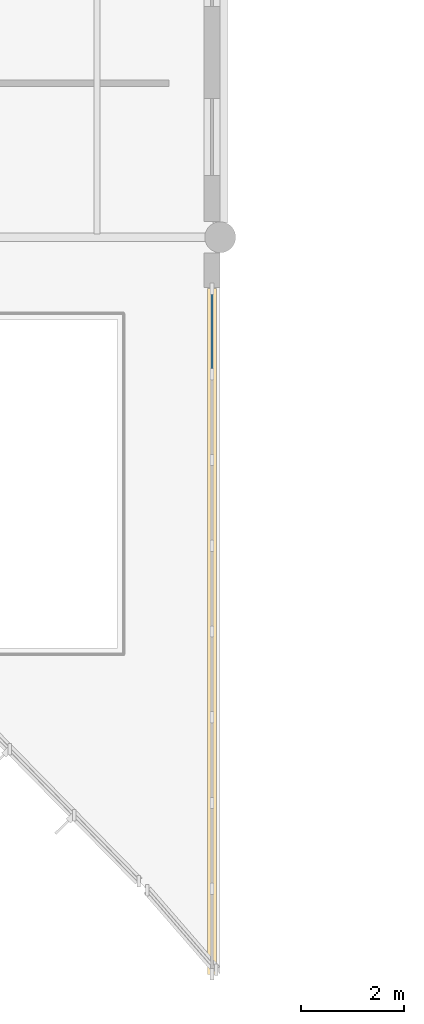
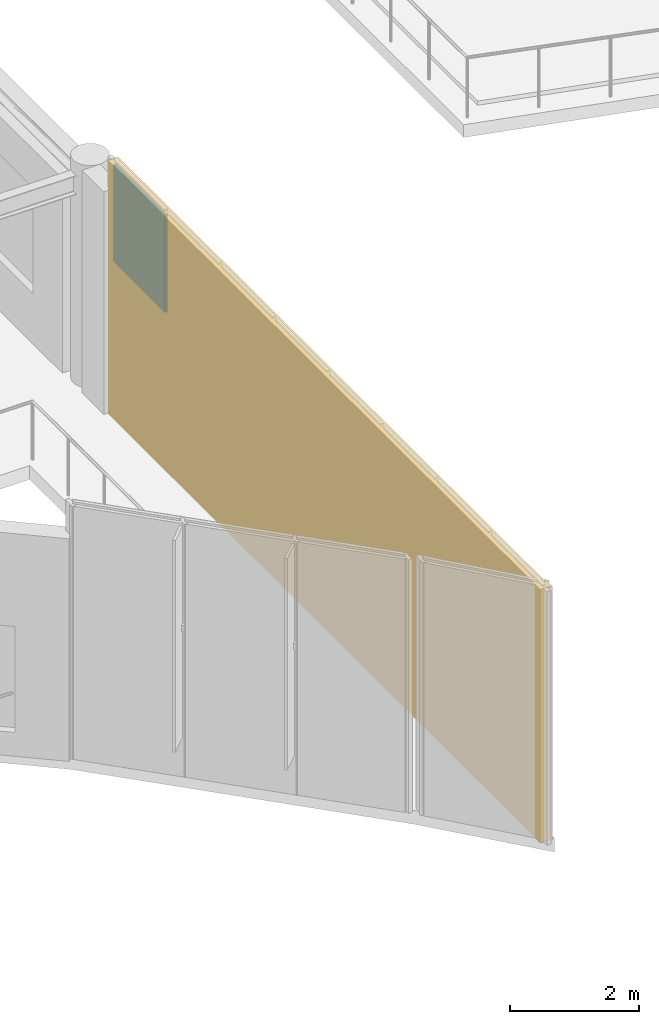
# One storey, part 78 of 104: 1 plate, plus 1 element that does not belong to this part.
"""IFC4 building model written with IfcOpenShell, lengths in metres."""

from ifc_helpers import new_model, si_unit, direction, frame, frame_2d, origin, origin_2d, place, context, subcontext, project, spatial, rectangle, extrude, material, layer, layer_set, type_object, element, aggregate, save


model = new_model("IFC4")

# Units and contexts
model_context = context("Model", 3, precision=1e-05, world=origin(), true_north=direction((0.0, 1.0)))
body_context = subcontext(model_context, "Body", "Model", "MODEL_VIEW")
ifc_project = project(units=[si_unit("LENGTHUNIT", "METRE"), si_unit("AREAUNIT", "SQUARE_METRE"), si_unit("VOLUMEUNIT", "CUBIC_METRE"), si_unit("PLANEANGLEUNIT", "RADIAN"), si_unit("MASSUNIT", "GRAM", prefix="KILO")], contexts=[model_context])

# Plate
ifc_material_1 = material(Name="Double Low-E Acoustic Laminated Glass", Category="glass")
ifc_layer = layer(ifc_material_1, 0.0439453125, Name="Double Low-E Acoustic Laminated Glass")
ifc_layer_set = layer_set([ifc_layer], Name="Double Low-E Acoustic Laminated Glass")
plate_type = type_object("IfcPlateType", Name="Acoustic Laminated Low-E Glazing Unit 44", PredefinedType="CURTAIN_PANEL", material=ifc_layer_set)
site_placement = place(None, origin())
building_placement = place(site_placement, origin())
storey_placement = place(building_placement, frame((0.0, 0.0, 9.0)))
plate_placement = place(storey_placement, frame((116.840087890625, 13.965576171875, 2.87548828125), z_axis=(0.0, 0.0, 1.0), x_axis=(0.0, 1.0, 0.0)))
plate = element("IfcPlate", 1, at=plate_placement, type_object=plate_type, Name="Curtain Panel CWP-01 CW-V5-RET-E-L02-P08.3", PredefinedType="CURTAIN_PANEL", context=body_context, shape_type="SweptSolid", body=[
    extrude(rectangle(XDim=1.5986328125, YDim=0.0439453125, at=origin_2d()), origin(), (0.0, 0.0, 1.0), 1.83447265625),
])

# Site, building, storey
site = spatial("IfcSite", under=ifc_project, at=site_placement, CompositionType="ELEMENT")
building = spatial("IfcBuilding", under=site, at=building_placement, Name="Tazoul Stagehouse", CompositionType="ELEMENT")
storey = spatial("IfcBuildingStorey", under=building, at=storey_placement, Name="L02", CompositionType="ELEMENT", Elevation=9.0)

# Curtain wall
ifc_material_2 = material(Name="Anodised Bronze Aluminium 6063-T6", Category="aluminium")
curtain_wall_type = type_object("IfcCurtainWallType", Name="Crescent Double-Skin Acoustic Curtain Wall", PredefinedType="NOTDEFINED", material=ifc_material_2)
curtain_wall_placement = place(storey_placement, frame((116.840087890625, 1.449951171875, 0.0), z_axis=(0.0, 0.0, 1.0), x_axis=(0.0, 1.0, 0.0)))
curtain_wall = element("IfcCurtainWall", 2, at=curtain_wall_placement, inside=storey, type_object=curtain_wall_type, Name="L02 Curtain Wall CW-01 (CW-V5-RET-E-L02)", PredefinedType="NOTDEFINED", context=body_context, shape_type="SweptSolid", body=[
    extrude(rectangle(XDim=13.35009765625, YDim=0.179931640625, at=frame_2d((6.675048828125, 0.0))), origin(), (0.0, 0.0, 1.0), 4.780029296875),
])

aggregate(curtain_wall, [plate])

save(model, "model.ifc")
